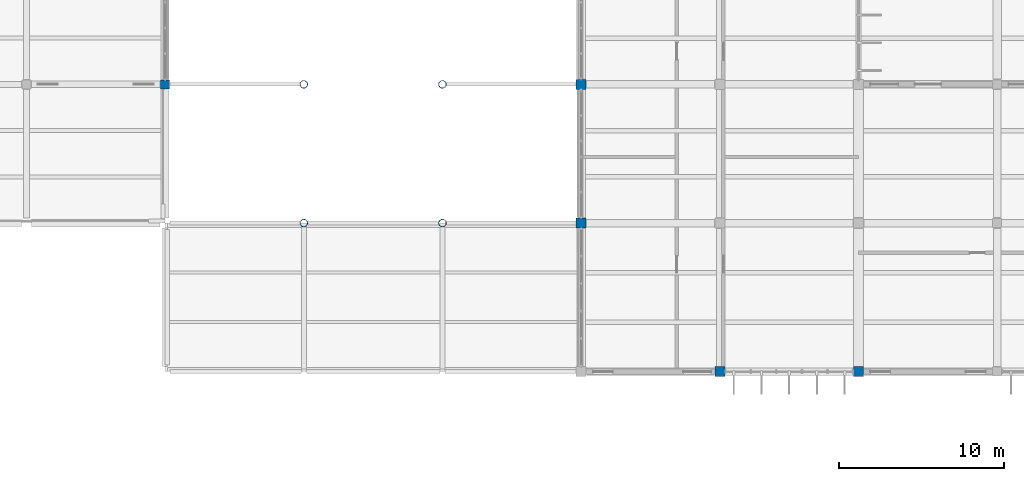
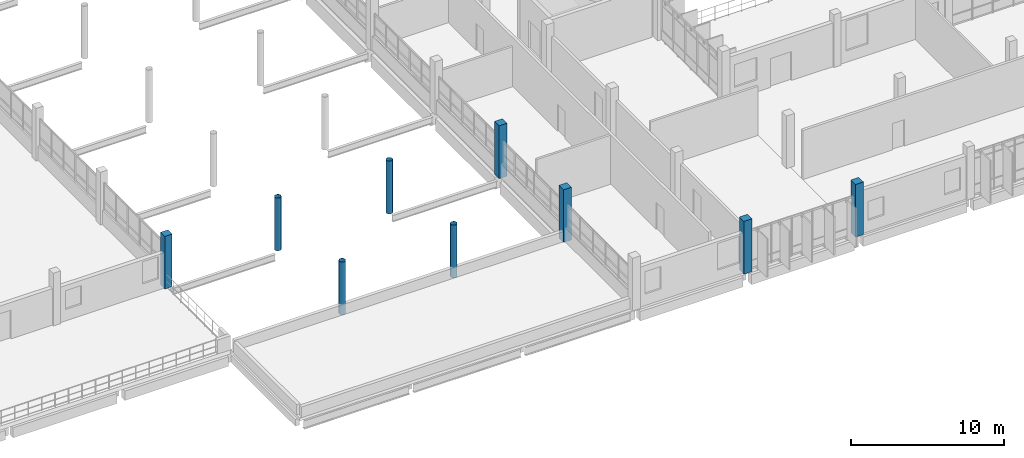
# One storey, part 2 of 130: 9 columns.
"""IFC4 building model written with IfcOpenShell, lengths in metres."""

from ifc_helpers import new_model, si_unit, direction, frame, origin, origin_2d, place, context, subcontext, project, spatial, rectangle, hollow_circle, extrude, material, material_profile, profile_set, type_object, element, save


model = new_model("IFC4")

# Units and contexts
model_context = context("Model", 3, precision=1e-05, world=origin(), true_north=direction((0.0, 1.0)))
body_context = subcontext(model_context, "Body", "Model", "MODEL_VIEW")
ifc_project = project(units=[si_unit("LENGTHUNIT", "METRE"), si_unit("AREAUNIT", "SQUARE_METRE"), si_unit("VOLUMEUNIT", "CUBIC_METRE"), si_unit("PLANEANGLEUNIT", "RADIAN"), si_unit("MASSUNIT", "GRAM", prefix="KILO")], contexts=[model_context])

# Site, building, storey
site_placement = place(None, origin())
site = spatial("IfcSite", under=ifc_project, at=site_placement, CompositionType="ELEMENT")
building_placement = place(site_placement, origin())
building = spatial("IfcBuilding", under=site, at=building_placement, Name="Vireocrest Preparatory School", CompositionType="ELEMENT")
storey_placement = place(building_placement, frame((0.0, 0.0, 9.0)))
storey = spatial("IfcBuildingStorey", under=building, at=storey_placement, Name="L02", CompositionType="ELEMENT", Elevation=9.0)

# Columns
ifc_material_1 = material(Name="Concrete 45 MPa", Category="concrete")
ifc_material_profile_1 = material_profile(ifc_material_1, rectangle(XDim=0.550048828125, YDim=0.550048828125, at=origin_2d()), Name="RC 550x550")
ifc_profile_set_1 = profile_set([ifc_material_profile_1], Name="Concrete 45 MPa")
column_type_1 = type_object("IfcColumnType", Name="RC Column 550x550", PredefinedType="COLUMN", material=ifc_profile_set_1)
column_placement = place(storey_placement, frame((67.199951171875, 35.39990234375, 0.0), z_axis=(0.0, 0.0, 1.0), x_axis=(1.0, 0.0, 0.0)))
element("IfcColumn", 1, at=column_placement, inside=storey, type_object=column_type_1, Name="Column C04 L02 9/E", PredefinedType="COLUMN", context=body_context, shape_type="SweptSolid", body=[
    extrude(rectangle(XDim=0.550048828125, YDim=0.550048828125, at=origin_2d()), origin(), (0.0, 0.0, 1.0), 4.199951171875),
])
ifc_material_profile_2 = material_profile(ifc_material_1, rectangle(XDim=0.60009765625, YDim=0.60009765625, at=origin_2d()), Name="RC 600x600")
ifc_profile_set_2 = profile_set([ifc_material_profile_2], Name="Concrete 45 MPa")
column_type_2 = type_object("IfcColumnType", Name="RC Column 600x600", PredefinedType="COLUMN", material=ifc_profile_set_2)
for number, where, z_axis, x_axis, name in (
    (2, (92.39990234375, 27.0, 0.0), (0.0, 0.0, 1.0), (1.0, 0.0, 0.0), "Column C05 L02 12/D"),
    (3, (92.39990234375, 35.39990234375, 0.0), (0.0, 0.0, 1.0), (1.0, 0.0, 0.0), "Column C05 L02 12/E"),
    (4, (100.800048828125, 18.0, 0.0), (0.0, 0.0, 1.0), (1.0, 0.0, 0.0), "Column C05 L02 13/C"),
    (5, (109.199951171875, 18.0, 0.0), (0.0, 0.0, 1.0), (1.0, 0.0, 0.0), "Column C05 L02 14/C"),
):
    element("IfcColumn", number, at=place(storey_placement, frame(where, z_axis=z_axis, x_axis=x_axis)), inside=storey, type_object=column_type_2, Name=name, PredefinedType="COLUMN", context=body_context, shape_type="SweptSolid", body=[
        extrude(rectangle(XDim=0.60009765625, YDim=0.60009765625, at=origin_2d()), origin(), (0.0, 0.0, 1.0), 4.199951171875),
    ])
ifc_material_2 = material(Name="Painted white steel ASTM A500 Grade C", Category="steel")
ifc_material_profile_3 = material_profile(ifc_material_2, hollow_circle(Radius=0.228515625, WallThickness=0.0126953125, at=origin_2d()), Name="HSS18.000X0.500")
ifc_profile_set_3 = profile_set([ifc_material_profile_3], Name="Painted white steel ASTM A500 Grade C")
column_type_3 = type_object("IfcColumnType", Name="White Steel Court Trunk HSS18.000X0.500", PredefinedType="USERDEFINED", material=ifc_profile_set_3)
for number, where, z_axis, x_axis, name in (
    (6, (75.60009765625, 27.0, 0.0), (0.0, 0.0, 1.0), (1.0, 0.0, 0.0), "Court Canopy Trunk VC2 W1 L02"),
    (7, (84.0, 27.0, 0.0), (0.0, 0.0, 1.0), (1.0, 0.0, 0.0), "Court Canopy Trunk VC2 E1 L02"),
    (8, (75.60009765625, 35.39990234375, 0.0), (0.0, 0.0, 1.0), (1.0, 0.0, 0.0), "Court Canopy Trunk VC2 W2 L02"),
    (9, (84.0, 35.39990234375, 0.0), (0.0, 0.0, 1.0), (1.0, 0.0, 0.0), "Court Canopy Trunk VC2 E2 L02"),
):
    element("IfcColumn", number, at=place(storey_placement, frame(where, z_axis=z_axis, x_axis=x_axis)), inside=storey, type_object=column_type_3, Name=name, ObjectType="PILOTI", PredefinedType="USERDEFINED", context=body_context, shape_type="SweptSolid", body=[
        extrude(hollow_circle(Radius=0.228515625, WallThickness=0.0126953125, at=origin_2d()), origin(), (0.0, 0.0, 1.0), 4.199951171875),
    ])

save(model, "model.ifc")
